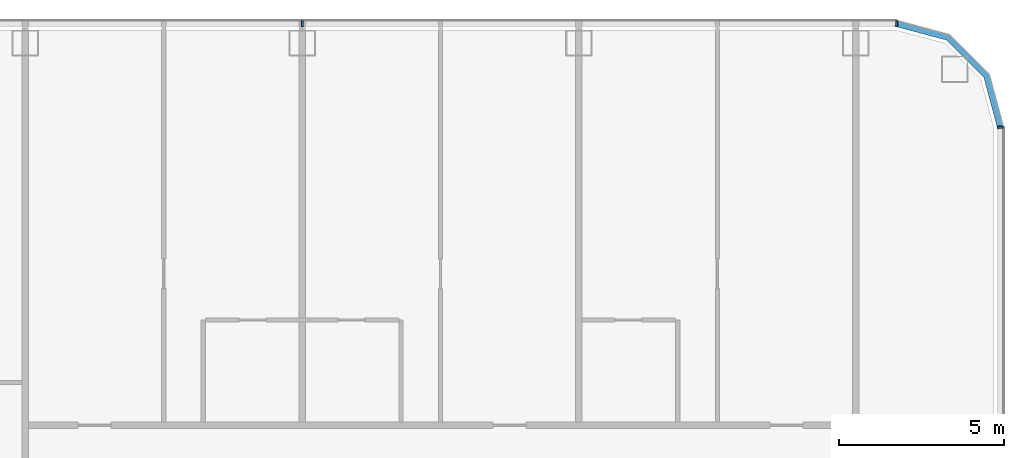
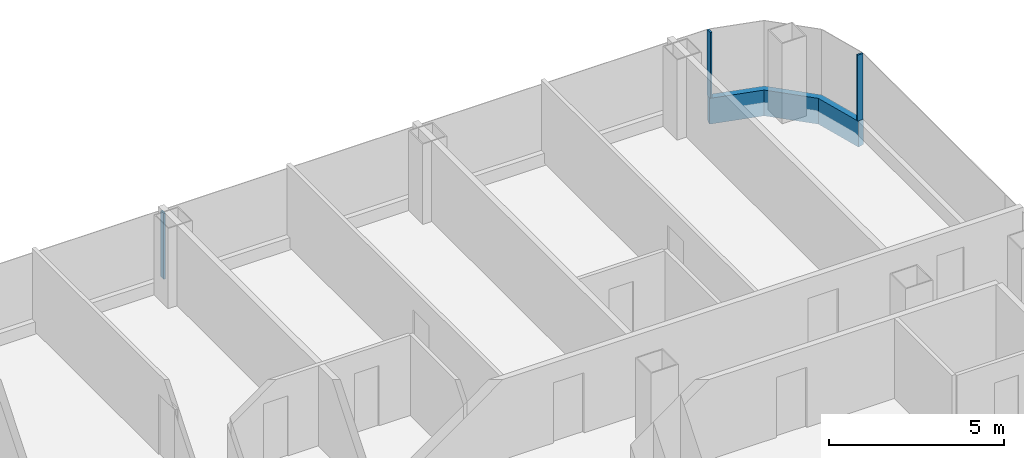
# One storey, part 13 of 29: 4 members, 3 elements without a shape of their own.
"""IFC4 building model written with IfcOpenShell, lengths in metres."""

from ifc_helpers import new_model, si_unit, direction, frame, origin, origin_2d, place, context, subcontext, project, spatial, polyline, rectangle, outline, extrude, material, layer, layer_set, material_profile, profile_set, type_object, element, aggregate, save


model = new_model("IFC4")

# Units and contexts
model_context = context("Model", 3, precision=1e-05, world=origin(), true_north=direction((0.0, 1.0)))
body_context = subcontext(model_context, "Body", "Model", "MODEL_VIEW")
ifc_project = project(units=[si_unit("LENGTHUNIT", "METRE"), si_unit("AREAUNIT", "SQUARE_METRE"), si_unit("VOLUMEUNIT", "CUBIC_METRE"), si_unit("PLANEANGLEUNIT", "RADIAN"), si_unit("MASSUNIT", "GRAM", prefix="KILO")], contexts=[model_context])

# Site, building, storey
site_placement = place(None, origin())
site = spatial("IfcSite", under=ifc_project, at=site_placement, CompositionType="ELEMENT")
building_placement = place(site_placement, origin())
building = spatial("IfcBuilding", under=site, at=building_placement, Name="Hakoniwa Tower and Hamabe Station Hall", CompositionType="ELEMENT")
storey_placement = place(building_placement, frame((0.0, 0.0, 104.199951171875)))
storey = spatial("IfcBuildingStorey", under=building, at=storey_placement, Name="L29", CompositionType="ELEMENT", Elevation=104.199951171875)

# Curtain wall, member
ifc_material_1 = material(Name="Dark low-e laminated glass", Category="glass")
ifc_layer = layer(ifc_material_1, 0.199951171875)
ifc_layer_set = layer_set([ifc_layer], Name="CW-1 UNITISED GUEST")
curtain_wall_type = type_object("IfcCurtainWallType", Name="CW-1 UNITISED GUEST", PredefinedType="NOTDEFINED", material=ifc_layer_set)
curtain_wall_1_placement = place(storey_placement, origin())
curtain_wall_1 = element("IfcCurtainWall", 1, at=curtain_wall_1_placement, inside=storey, type_object=curtain_wall_type, Name="CW-1 curtain wall", PredefinedType="NOTDEFINED")
ifc_material_2 = material(Name="Aluminium 6063-T5 black anodised", Category="aluminium")
ifc_material_profile_1 = material_profile(ifc_material_2, rectangle(XDim=0.199951171875, YDim=0.89990234375, at=origin_2d()), Name="CW SLAB-EDGE BAND 900X200")
ifc_profile_set_1 = profile_set([ifc_material_profile_1], Name="Aluminium 6063-T5 black anodised")
member_type_1 = type_object("IfcMemberType", Name="CW SLAB-EDGE BAND 900X200", PredefinedType="USERDEFINED", material=ifc_profile_set_1)
member_1_placement = place(storey_placement, frame((0.0, 0.0, -0.550048828125)))
member_1 = element("IfcMember", 2, at=member_1_placement, type_object=member_type_1, Name="CW-1 transom", ObjectType="TRANSOM", PredefinedType="USERDEFINED", context=body_context, shape_type="SweptSolid", body=[
    extrude(outline(polyline([(46.5, 20.28955078125), (46.067138671875, 21.9052734375), (44.855224609375, 23.116943359375), (43.239501953125, 23.550048828125), (43.187744140625, 23.35693359375), (44.751708984375, 22.937744140625), (45.8876953125, 21.8017578125), (46.306884765625, 20.23779296875), (46.5, 20.28955078125)])), origin(), (0.0, 0.0, 1.0), 0.900146484375),
])
aggregate(curtain_wall_1, [member_1])

curtain_wall_2_placement = place(storey_placement, origin())
curtain_wall_2 = element("IfcCurtainWall", 3, at=curtain_wall_2_placement, inside=storey, type_object=curtain_wall_type, Name="CW-1 curtain wall", PredefinedType="NOTDEFINED")
ifc_material_3 = material(Name="Aluminium 6063-T5 black anodised", Category="aluminium")
ifc_material_profile_2 = material_profile(ifc_material_3, rectangle(XDim=0.06005859375, YDim=0.179931640625, at=origin_2d()), Name="CW-1 MULLION 60X180")
ifc_profile_set_2 = profile_set([ifc_material_profile_2], Name="Aluminium 6063-T5 black anodised")
member_type_2 = type_object("IfcMemberType", Name="CW-1 MULLION 60X180", PredefinedType="MULLION", material=ifc_profile_set_2)
member_2_placement = place(storey_placement, frame((46.382080078125, 20.28955078125, 0.35009765625), z_axis=(0.0, 0.0, 1.0), x_axis=(0.0, 1.0, 0.0)))
member_2 = element("IfcMember", 4, at=member_2_placement, type_object=member_type_2, Name="CW-1 mullion", PredefinedType="MULLION", context=body_context, shape_type="SweptSolid", body=[
    extrude(rectangle(XDim=0.06005859375, YDim=0.179931640625, at=origin_2d()), origin(), (0.0, 0.0, 1.0), 2.300048828125),
])
aggregate(curtain_wall_2, [member_2])

# Curtain wall, members
curtain_wall_3_placement = place(storey_placement, origin())
curtain_wall_3 = element("IfcCurtainWall", 5, at=curtain_wall_3_placement, inside=storey, type_object=curtain_wall_type, Name="CW-1 curtain wall", PredefinedType="NOTDEFINED")
member_3_placement = place(storey_placement, frame((43.239501953125, 23.431884765625, 0.35009765625), z_axis=(0.0, 0.0, 1.0), x_axis=(-1.0, 0.0, 0.0)))
member_3 = element("IfcMember", 6, at=member_3_placement, type_object=member_type_2, Name="CW-1 mullion", PredefinedType="MULLION", context=body_context, shape_type="SweptSolid", body=[
    extrude(rectangle(XDim=0.06005859375, YDim=0.179931640625, at=origin_2d()), origin(), (0.0, 0.0, 1.0), 2.300048828125),
])
member_4_placement = place(storey_placement, frame((25.199951171875, 23.431884765625, 0.35009765625), z_axis=(0.0, 0.0, 1.0), x_axis=(-1.0, 0.0, 0.0)))
member_4 = element("IfcMember", 7, at=member_4_placement, type_object=member_type_2, Name="CW-1 mullion", PredefinedType="MULLION", context=body_context, shape_type="SweptSolid", body=[
    extrude(rectangle(XDim=0.06005859375, YDim=0.179931640625, at=origin_2d()), origin(), (0.0, 0.0, 1.0), 2.300048828125),
])
aggregate(curtain_wall_3, [member_3, member_4])

save(model, "model.ifc")
